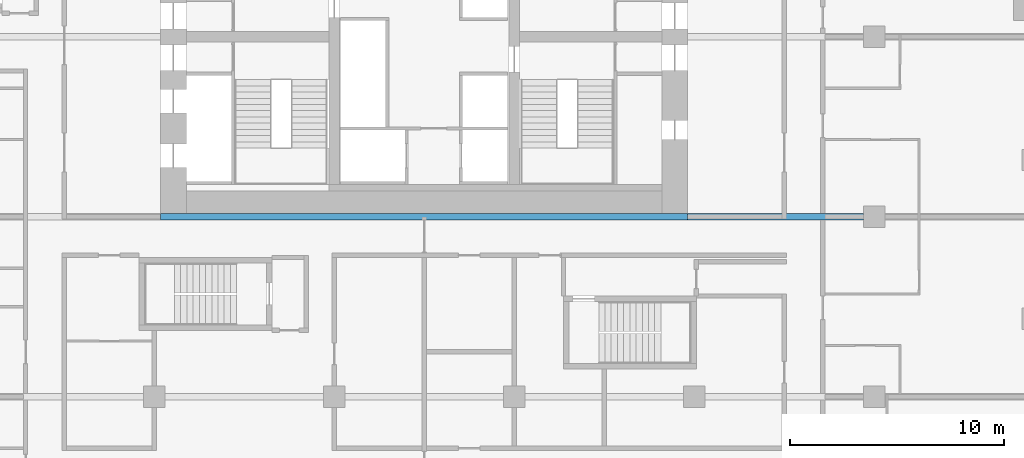
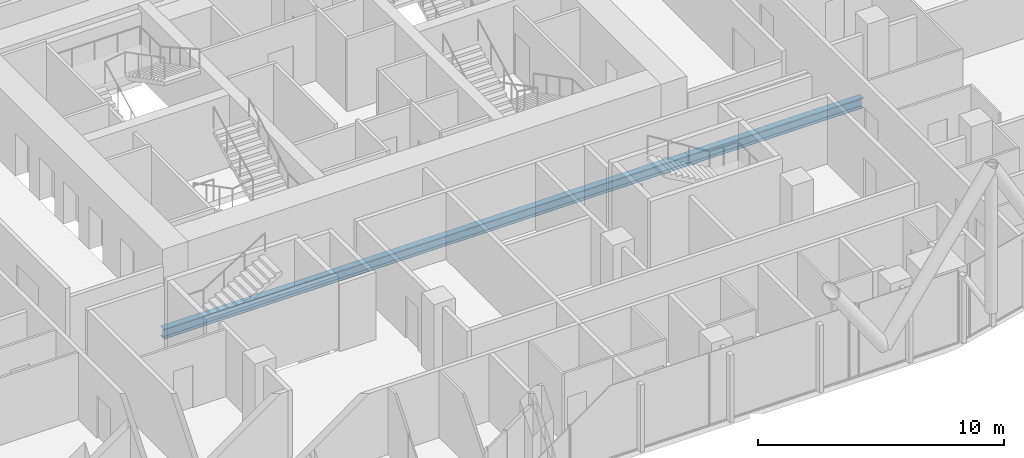
# One storey, part 7 of 38: 2 beams.
"""IFC4 building model written with IfcOpenShell, lengths in metres."""

from ifc_helpers import new_model, si_unit, direction, frame, origin, origin_2d, place, context, subcontext, project, spatial, i_section, extrude, material, material_profile, profile_set, type_object, element, save


model = new_model("IFC4")

# Units and contexts
model_context = context("Model", 3, precision=1e-05, world=origin(), true_north=direction((0.0, 1.0)))
body_context = subcontext(model_context, "Body", "Model", "MODEL_VIEW")
ifc_project = project(units=[si_unit("LENGTHUNIT", "METRE"), si_unit("AREAUNIT", "SQUARE_METRE"), si_unit("VOLUMEUNIT", "CUBIC_METRE"), si_unit("PLANEANGLEUNIT", "RADIAN"), si_unit("MASSUNIT", "GRAM", prefix="KILO")], contexts=[model_context])

# Site, building, storey
site_placement = place(None, origin())
site = spatial("IfcSite", under=ifc_project, at=site_placement, CompositionType="ELEMENT")
building_placement = place(site_placement, origin())
building = spatial("IfcBuilding", under=site, at=building_placement, Name="Marenta Gate Hotel Tower", CompositionType="ELEMENT")
storey_placement = place(building_placement, frame((0.0, 0.0, 68.89990234375)))
storey = spatial("IfcBuildingStorey", under=building, at=storey_placement, Name="L15", CompositionType="ELEMENT", Elevation=68.89990234375)

# Beams
ifc_material = material(Name="Steel S355", Category="steel")
ifc_material_profile = material_profile(ifc_material, i_section(OverallWidth=0.300048828125, OverallDepth=0.5, WebThickness=0.014404296875, FlangeThickness=0.028076171875, FilletRadius=0.027099609375, at=origin_2d()), Name="HEB 500")
ifc_profile_set = profile_set([ifc_material_profile], Name="Steel S355")
beam_type = type_object("IfcBeamType", Name="Girder HEB 500", PredefinedType="BEAM", material=ifc_profile_set)
beam_1_placement = place(storey_placement, frame((-12.300048828125, 0.0, -0.510009765625), z_axis=(1.0, 0.0, 0.0), x_axis=(0.0, 1.0, 0.0)))
element("IfcBeam", 1, at=beam_1_placement, inside=storey, type_object=beam_type, Name="L15-GD-10", PredefinedType="BEAM", context=body_context, shape_type="SweptSolid", body=[
    extrude(i_section(OverallWidth=0.300048828125, OverallDepth=0.5, WebThickness=0.014404296875, FlangeThickness=0.028076171875, FilletRadius=0.027099609375, at=origin_2d()), origin(), (0.0, 0.0, 1.0), 24.60009765625),
])
beam_2_placement = place(storey_placement, frame((12.300048828125, 0.0, -0.510009765625), z_axis=(1.0, 0.0, 0.0), x_axis=(0.0, 1.0, 0.0)))
element("IfcBeam", 2, at=beam_2_placement, inside=storey, type_object=beam_type, Name="L15-GD-11", PredefinedType="BEAM", context=body_context, shape_type="SweptSolid", body=[
    extrude(i_section(OverallWidth=0.300048828125, OverallDepth=0.5, WebThickness=0.014404296875, FlangeThickness=0.028076171875, FilletRadius=0.027099609375, at=origin_2d()), origin(), (0.0, 0.0, 1.0), 8.199951171875),
])

save(model, "model.ifc")
